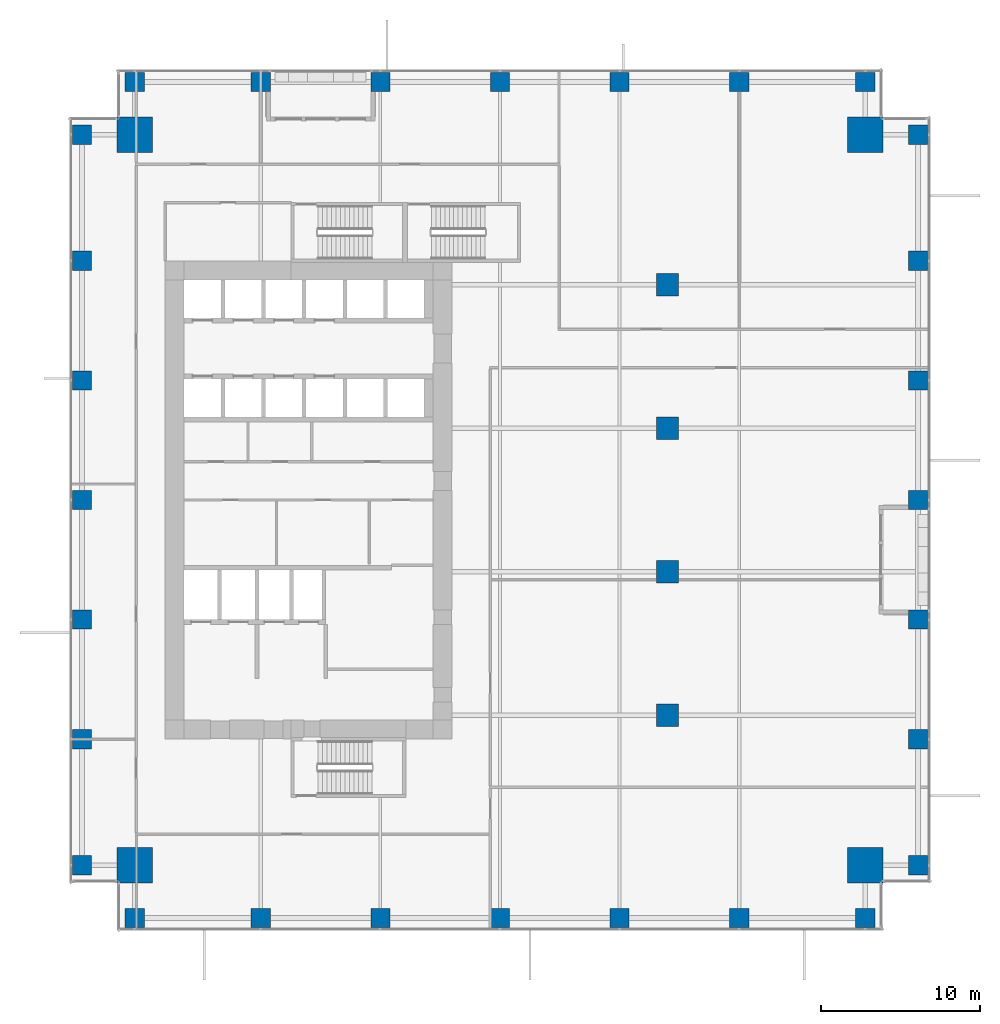
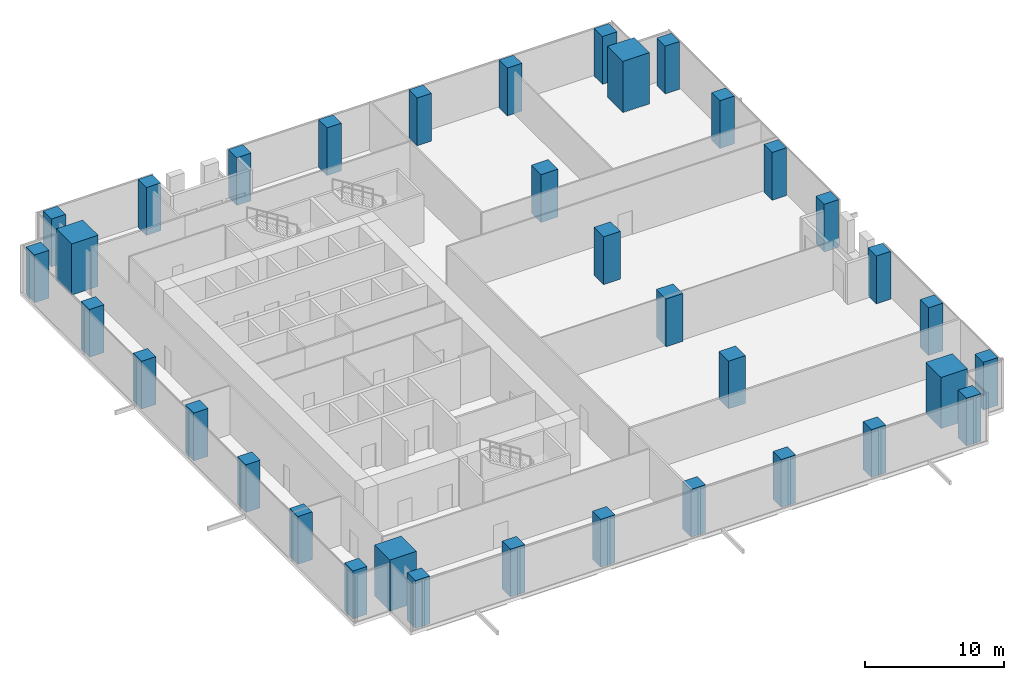
# One storey, part 1 of 33: 36 columns.
"""IFC4 building model written with IfcOpenShell, lengths in metres."""

from ifc_helpers import new_model, si_unit, direction, frame, origin, origin_2d, place, context, subcontext, project, spatial, rectangle, extrude, source, transform, mapped, material, material_profile, profile_set, type_object, element, save


model = new_model("IFC4")

# Units and contexts
model_context = context("Model", 3, precision=1e-05, world=origin(), true_north=direction((0.0, 1.0)))
body_context = subcontext(model_context, "Body", "Model", "MODEL_VIEW")
ifc_project = project(units=[si_unit("LENGTHUNIT", "METRE"), si_unit("AREAUNIT", "SQUARE_METRE"), si_unit("VOLUMEUNIT", "CUBIC_METRE"), si_unit("PLANEANGLEUNIT", "RADIAN"), si_unit("MASSUNIT", "GRAM", prefix="KILO")], contexts=[model_context])

# Site, building, storey
site_placement = place(None, origin())
site = spatial("IfcSite", under=ifc_project, at=site_placement, CompositionType="ELEMENT")
building_placement = place(site_placement, origin())
building = spatial("IfcBuilding", under=site, at=building_placement, Name="Khomas Fold Tower", CompositionType="ELEMENT")
storey_placement = place(building_placement, frame((0.0, 0.0, 82.5)))
storey = spatial("IfcBuildingStorey", under=building, at=storey_placement, Name="L17", CompositionType="ELEMENT", Elevation=82.5)

# Columns
ifc_material_1 = material(Name="Concrete C70/85", Category="concrete")
ifc_material_profile_1 = material_profile(ifc_material_1, rectangle(XDim=2.199951171875, YDim=2.199951171875, at=origin_2d()), Name="RC 2200x2200")
ifc_profile_set_1 = profile_set([ifc_material_profile_1], Name="Concrete C70/85")
column_type_1 = type_object("IfcColumnType", Name="RC 2200x2200 column", PredefinedType="COLUMN", material=ifc_profile_set_1)
shared_shape_1 = source(origin(), body_context, "Body", "SweptSolid", [
    extrude(rectangle(XDim=2.199951171875, YDim=2.199951171875, at=origin_2d()), origin(), (0.0, 0.0, 1.0), 4.5),
])
for number, where, z_axis, x_axis, name in (
    (1, (49.89990234375, 49.89990234375, 0.0), (0.0, 0.0, 1.0), (1.0, 0.0, 0.0), "CM-NE"),
    (2, (4.10009765625, 49.89990234375, 0.0), (0.0, 0.0, 1.0), (1.0, 0.0, 0.0), "CM-NW"),
    (3, (49.89990234375, 4.10009765625, 0.0), (0.0, 0.0, 1.0), (1.0, 0.0, 0.0), "CM-SE"),
    (4, (4.10009765625, 4.10009765625, 0.0), (0.0, 0.0, 1.0), (1.0, 0.0, 0.0), "CM-SW"),
):
    element("IfcColumn", number, at=place(storey_placement, frame(where, z_axis=z_axis, x_axis=x_axis)), inside=storey, type_object=column_type_1, Name=name, PredefinedType="COLUMN", context=body_context, shape_type="MappedRepresentation", body=[
        mapped(shared_shape_1, transform((0.0, 0.0, 0.0))),
    ])
ifc_material_2 = material(Name="Concrete C60/75", Category="concrete")
ifc_material_profile_2 = material_profile(ifc_material_2, rectangle(XDim=1.199951171875, YDim=1.199951171875, at=origin_2d()), Name="RC 1200x1200")
ifc_profile_set_2 = profile_set([ifc_material_profile_2], Name="Concrete C60/75")
column_type_2 = type_object("IfcColumnType", Name="RC 1200x1200 column", PredefinedType="COLUMN", material=ifc_profile_set_2)
shared_shape_2 = source(origin(), body_context, "Body", "SweptSolid", [
    extrude(rectangle(XDim=1.199951171875, YDim=1.199951171875, at=origin_2d()), origin(), (0.0, 0.0, 1.0), 4.199951171875),
])
for number, where, z_axis, x_axis, name in (
    (5, (4.10009765625, 0.800048828125, 0.0), (0.0, 0.0, 1.0), (1.0, 0.0, 0.0), "C-2-SF1"),
    (6, (12.0, 0.800048828125, 0.0), (0.0, 0.0, 1.0), (1.0, 0.0, 0.0), "C-6-SF1"),
    (7, (19.5, 0.800048828125, 0.0), (0.0, 0.0, 1.0), (1.0, 0.0, 0.0), "C-8-SF1"),
    (8, (27.0, 0.800048828125, 0.0), (0.0, 0.0, 1.0), (1.0, 0.0, 0.0), "C-9-SF1"),
    (9, (34.5, 0.800048828125, 0.0), (0.0, 0.0, 1.0), (1.0, 0.0, 0.0), "C-10-SF1"),
    (10, (42.0, 0.800048828125, 0.0), (0.0, 0.0, 1.0), (1.0, 0.0, 0.0), "C-13-SF1"),
    (11, (49.89990234375, 0.800048828125, 0.0), (0.0, 0.0, 1.0), (1.0, 0.0, 0.0), "C-17-SF1"),
    (12, (53.199951171875, 4.10009765625, 0.0), (0.0, 0.0, 1.0), (1.0, 0.0, 0.0), "C-E1-A"),
    (13, (53.199951171875, 12.0, 0.0), (0.0, 0.0, 1.0), (1.0, 0.0, 0.0), "C-E1-F"),
    (14, (53.199951171875, 19.5, 0.0), (0.0, 0.0, 1.0), (1.0, 0.0, 0.0), "C-E1-J"),
    (15, (53.199951171875, 27.0, 0.0), (0.0, 0.0, 1.0), (1.0, 0.0, 0.0), "C-E1-L"),
    (16, (53.199951171875, 34.5, 0.0), (0.0, 0.0, 1.0), (1.0, 0.0, 0.0), "C-E1-N"),
    (17, (53.199951171875, 42.0, 0.0), (0.0, 0.0, 1.0), (1.0, 0.0, 0.0), "C-E1-R"),
    (18, (53.199951171875, 49.89990234375, 0.0), (0.0, 0.0, 1.0), (1.0, 0.0, 0.0), "C-E1-W"),
    (19, (4.10009765625, 53.199951171875, 0.0), (0.0, 0.0, 1.0), (1.0, 0.0, 0.0), "C-2-NF1"),
    (20, (12.0, 53.199951171875, 0.0), (0.0, 0.0, 1.0), (1.0, 0.0, 0.0), "C-6-NF1"),
    (21, (19.5, 53.199951171875, 0.0), (0.0, 0.0, 1.0), (1.0, 0.0, 0.0), "C-8-NF1"),
    (22, (27.0, 53.199951171875, 0.0), (0.0, 0.0, 1.0), (1.0, 0.0, 0.0), "C-9-NF1"),
    (23, (34.5, 53.199951171875, 0.0), (0.0, 0.0, 1.0), (1.0, 0.0, 0.0), "C-10-NF1"),
    (24, (42.0, 53.199951171875, 0.0), (0.0, 0.0, 1.0), (1.0, 0.0, 0.0), "C-13-NF1"),
    (25, (49.89990234375, 53.199951171875, 0.0), (0.0, 0.0, 1.0), (1.0, 0.0, 0.0), "C-17-NF1"),
    (26, (0.800048828125, 4.10009765625, 0.0), (0.0, 0.0, 1.0), (1.0, 0.0, 0.0), "C-W1-A"),
    (27, (0.800048828125, 12.0, 0.0), (0.0, 0.0, 1.0), (1.0, 0.0, 0.0), "C-W1-F"),
    (28, (0.800048828125, 19.5, 0.0), (0.0, 0.0, 1.0), (1.0, 0.0, 0.0), "C-W1-J"),
    (29, (0.800048828125, 27.0, 0.0), (0.0, 0.0, 1.0), (1.0, 0.0, 0.0), "C-W1-L"),
    (30, (0.800048828125, 34.5, 0.0), (0.0, 0.0, 1.0), (1.0, 0.0, 0.0), "C-W1-N"),
    (31, (0.800048828125, 42.0, 0.0), (0.0, 0.0, 1.0), (1.0, 0.0, 0.0), "C-W1-R"),
    (32, (0.800048828125, 49.89990234375, 0.0), (0.0, 0.0, 1.0), (1.0, 0.0, 0.0), "C-W1-W"),
):
    element("IfcColumn", number, at=place(storey_placement, frame(where, z_axis=z_axis, x_axis=x_axis)), inside=storey, type_object=column_type_2, Name=name, PredefinedType="COLUMN", context=body_context, shape_type="MappedRepresentation", body=[
        mapped(shared_shape_2, transform((0.0, 0.0, 0.0))),
    ])
ifc_material_3 = material(Name="Concrete C60/75", Category="concrete")
ifc_material_profile_3 = material_profile(ifc_material_3, rectangle(XDim=1.39990234375, YDim=1.39990234375, at=origin_2d()), Name="RC 1400x1400")
ifc_profile_set_3 = profile_set([ifc_material_profile_3], Name="Concrete C60/75")
column_type_3 = type_object("IfcColumnType", Name="RC 1400x1400 column", PredefinedType="COLUMN", material=ifc_profile_set_3)
shared_shape_3 = source(origin(), body_context, "Body", "SweptSolid", [
    extrude(rectangle(XDim=1.39990234375, YDim=1.39990234375, at=origin_2d()), origin(), (0.0, 0.0, 1.0), 4.199951171875),
])
for number, where, z_axis, x_axis, name in (
    (33, (37.5, 13.5, 0.0), (0.0, 0.0, 1.0), (1.0, 0.0, 0.0), "C-11-H"),
    (34, (37.5, 22.5, 0.0), (0.0, 0.0, 1.0), (1.0, 0.0, 0.0), "C-11-K"),
    (35, (37.5, 31.5, 0.0), (0.0, 0.0, 1.0), (1.0, 0.0, 0.0), "C-11-M"),
    (36, (37.5, 40.5, 0.0), (0.0, 0.0, 1.0), (1.0, 0.0, 0.0), "C-11-P"),
):
    element("IfcColumn", number, at=place(storey_placement, frame(where, z_axis=z_axis, x_axis=x_axis)), inside=storey, type_object=column_type_3, Name=name, PredefinedType="COLUMN", context=body_context, shape_type="MappedRepresentation", body=[
        mapped(shared_shape_3, transform((0.0, 0.0, 0.0))),
    ])

save(model, "model.ifc")
